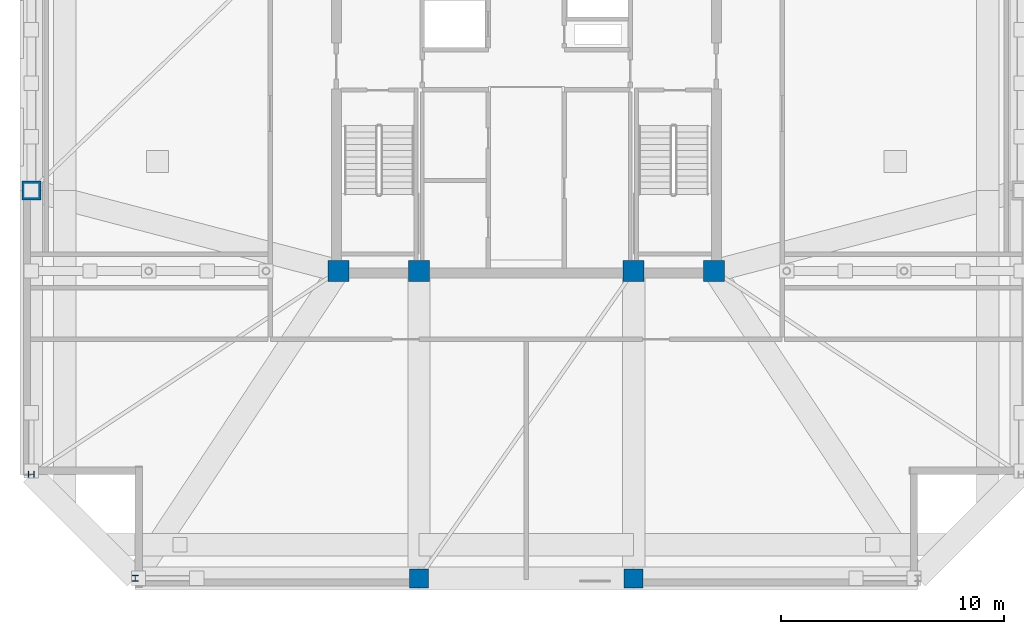
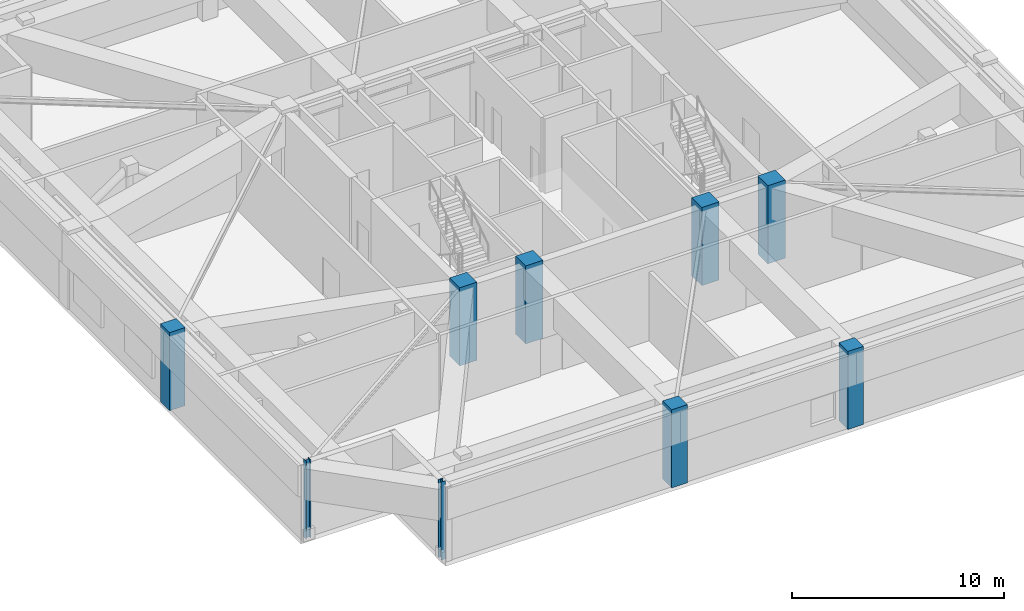
# One storey, part 1 of 17: 9 columns.
"""IFC4 building model written with IfcOpenShell, lengths in metres."""

from ifc_helpers import new_model, si_unit, direction, frame, origin, origin_2d, place, context, subcontext, project, spatial, rectangle, i_section, extrude, material, material_profile, profile_set, type_object, element, save


model = new_model("IFC4")

# Units and contexts
model_context = context("Model", 3, precision=1e-05, world=origin(), true_north=direction((0.0, 1.0)))
body_context = subcontext(model_context, "Body", "Model", "MODEL_VIEW")
ifc_project = project(units=[si_unit("LENGTHUNIT", "METRE"), si_unit("AREAUNIT", "SQUARE_METRE"), si_unit("VOLUMEUNIT", "CUBIC_METRE"), si_unit("PLANEANGLEUNIT", "RADIAN"), si_unit("MASSUNIT", "GRAM", prefix="KILO")], contexts=[model_context])

# Site, building, storey
site_placement = place(None, origin())
site = spatial("IfcSite", under=ifc_project, at=site_placement, CompositionType="ELEMENT")
building_placement = place(site_placement, origin())
building = spatial("IfcBuilding", under=site, at=building_placement, Name="Cairnveth Concourse Tower", CompositionType="ELEMENT")
storey_placement = place(building_placement, frame((0.0, 0.0, 276.0)))
storey = spatial("IfcBuildingStorey", under=building, at=storey_placement, Name="L76", CompositionType="ELEMENT", Elevation=276.0)

# Columns
ifc_material_1 = material(Name="Concrete N65 (65 MPa)", Category="concrete")
ifc_material_profile_1 = material_profile(ifc_material_1, rectangle(XDim=0.949951171875, YDim=0.949951171875, at=origin_2d()), Name="RC-COL-950x950")
ifc_profile_set_1 = profile_set([ifc_material_profile_1], Name="Concrete N65 (65 MPa)")
column_type_1 = type_object("IfcColumnType", Name="CORE COLUMN 950X950", PredefinedType="COLUMN", material=ifc_profile_set_1)
for number, where, z_axis, x_axis, name in (
    (1, (43.60009765625, 30.60009765625, 0.0), (0.0, 0.0, 1.0), (1.0, 0.0, 0.0), "Column CC1 L76"),
    (2, (47.199951171875, 30.60009765625, 0.0), (0.0, 0.0, 1.0), (1.0, 0.0, 0.0), "Column CC2 L76"),
    (3, (56.800048828125, 30.60009765625, 0.0), (0.0, 0.0, 1.0), (1.0, 0.0, 0.0), "Column CC3 L76"),
    (4, (60.39990234375, 30.60009765625, 0.0), (0.0, 0.0, 1.0), (1.0, 0.0, 0.0), "Column CC4 L76"),
):
    element("IfcColumn", number, at=place(storey_placement, frame(where, z_axis=z_axis, x_axis=x_axis)), inside=storey, type_object=column_type_1, Name=name, PredefinedType="COLUMN", context=body_context, shape_type="SweptSolid", body=[
        extrude(rectangle(XDim=0.949951171875, YDim=0.949951171875, at=origin_2d()), origin(), (0.0, 0.0, 1.0), 4.5),
    ])
ifc_material_profile_2 = material_profile(ifc_material_1, rectangle(XDim=0.85009765625, YDim=0.85009765625, at=origin_2d()), Name="RC-COL-850x850")
ifc_profile_set_2 = profile_set([ifc_material_profile_2], Name="Concrete N65 (65 MPa)")
column_type_2 = type_object("IfcColumnType", Name="PERIMETER PIER COLUMN 850X850", PredefinedType="COLUMN", material=ifc_profile_set_2)
for number, where, z_axis, x_axis, name in (
    (5, (47.199951171875, 16.85009765625, 0.0), (0.0, 0.0, 1.0), (1.0, 0.0, 0.0), "Column P-S2 L76"),
    (6, (56.800048828125, 16.85009765625, 0.0), (0.0, 0.0, 1.0), (1.0, 0.0, 0.0), "Column P-S3 L76"),
    (7, (29.85009765625, 34.199951171875, 0.0), (0.0, 0.0, 1.0), (0.0, 1.0, 0.0), "Column P-W3 L76"),
):
    element("IfcColumn", number, at=place(storey_placement, frame(where, z_axis=z_axis, x_axis=x_axis)), inside=storey, type_object=column_type_2, Name=name, PredefinedType="COLUMN", context=body_context, shape_type="SweptSolid", body=[
        extrude(rectangle(XDim=0.85009765625, YDim=0.85009765625, at=origin_2d()), origin(), (0.0, 0.0, 1.0), 4.5),
    ])
ifc_material_2 = material(Name="Steel Grade 350", Category="steel")
ifc_material_profile_3 = material_profile(ifc_material_2, i_section(OverallWidth=0.256103515625, OverallDepth=0.260009765625, WebThickness=0.010498046875, FlangeThickness=0.017333984375, FilletRadius=0.012939453125, at=origin_2d()), Name="250UC89.5")
ifc_profile_set_3 = profile_set([ifc_material_profile_3], Name="Steel Grade 350")
column_type_3 = type_object("IfcColumnType", Name="UNIVERSAL STEEL COLUMN 250UC89.5", PredefinedType="COLUMN", material=ifc_profile_set_3)
for number, where, z_axis, x_axis, name in (
    (8, (34.5, 16.85009765625, 0.0), (0.0, 0.0, 1.0), (1.0, 0.0, 0.0), "Column P-S1 L76"),
    (9, (29.85009765625, 21.5, 0.0), (0.0, 0.0, 1.0), (0.0, 1.0, 0.0), "Column P-W4 L76"),
):
    element("IfcColumn", number, at=place(storey_placement, frame(where, z_axis=z_axis, x_axis=x_axis)), inside=storey, type_object=column_type_3, Name=name, PredefinedType="COLUMN", context=body_context, shape_type="SweptSolid", body=[
        extrude(i_section(OverallWidth=0.256103515625, OverallDepth=0.260009765625, WebThickness=0.010498046875, FlangeThickness=0.017333984375, FilletRadius=0.012939453125, at=origin_2d()), origin(), (0.0, 0.0, 1.0), 4.5),
    ])

save(model, "model.ifc")
